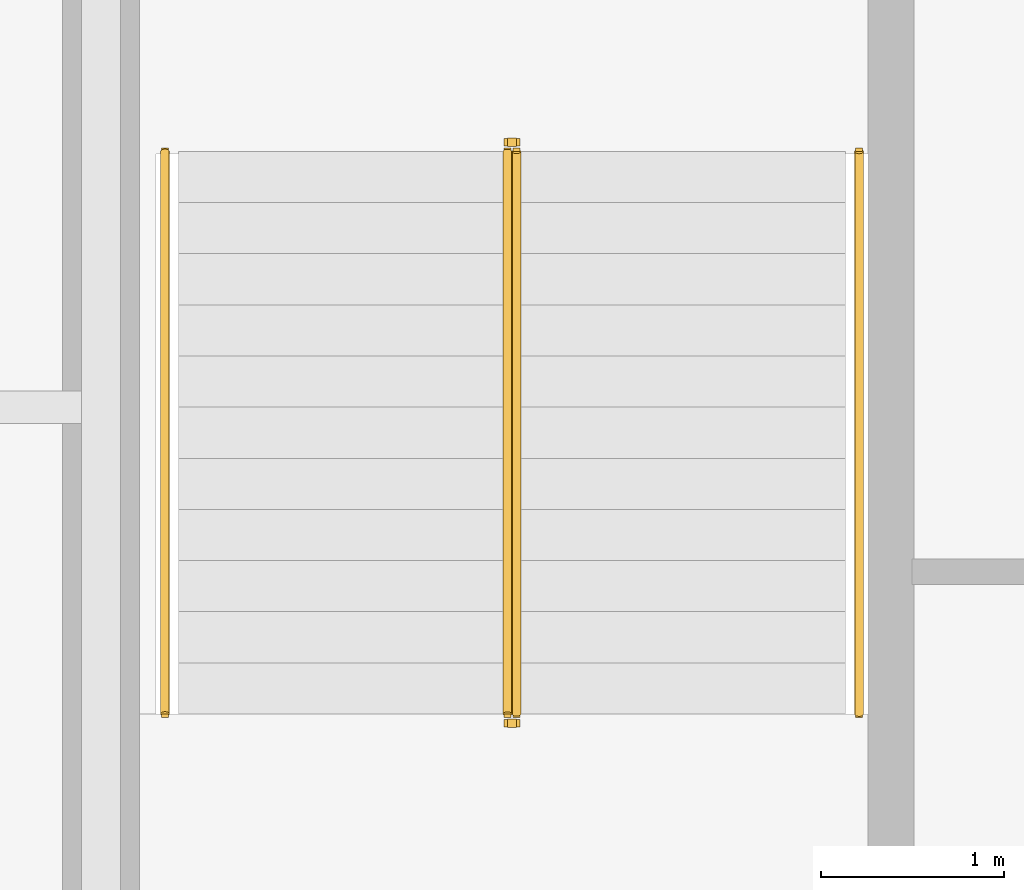
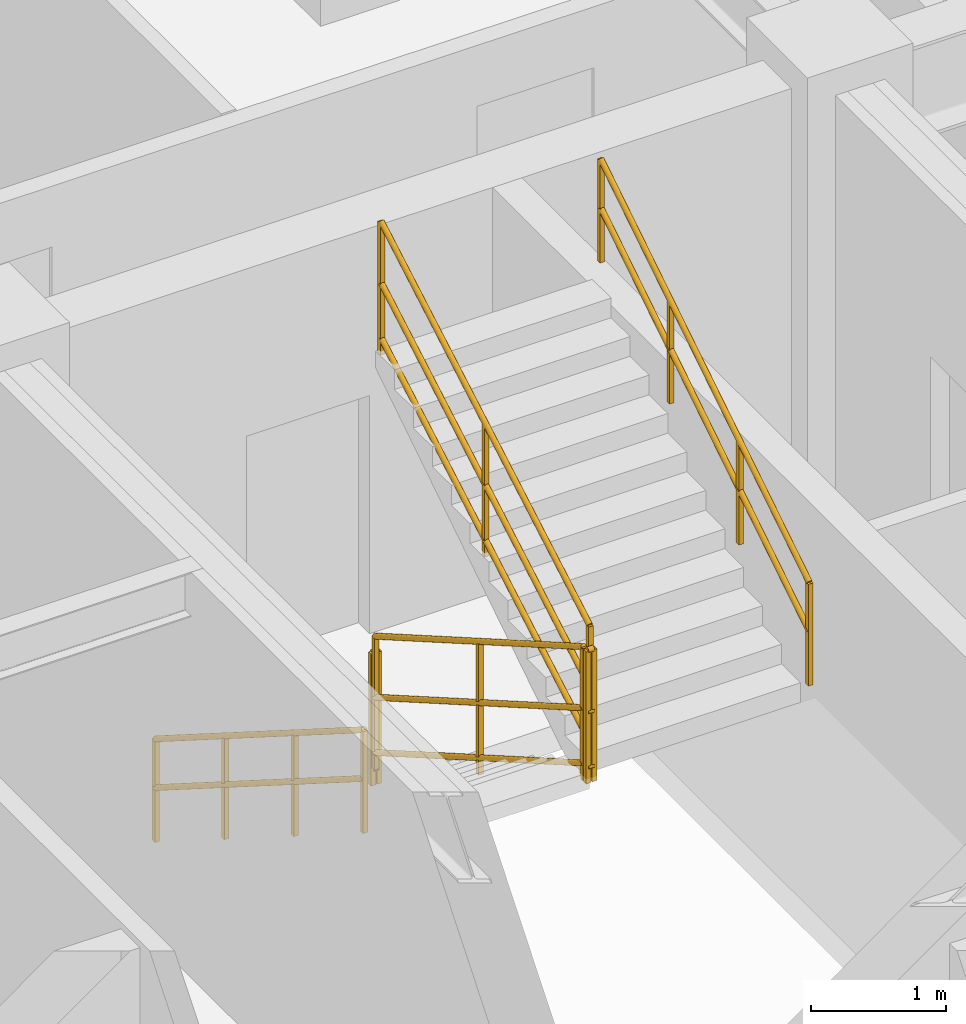
# One storey, part 10 of 11: 6 railings.
"""IFC4 building model written with IfcOpenShell, lengths in metres."""

from ifc_helpers import new_model, entity, si_unit, converted_unit, direction, frame, origin_with_axes, origin_2d_with_axis, place, context, subcontext, project, spatial, rectangle, circle, extrude, material, type_object, element, save


model = new_model("IFC4")

# Units and contexts
model_context = context("Model", 3, precision=1e-05, world=origin_with_axes(), true_north=direction((0.0, 1.0)))
body_context = subcontext(model_context, "Body", "Model", "MODEL_VIEW")
ifc_project = project(units=[si_unit("LENGTHUNIT", "METRE"), si_unit("AREAUNIT", "SQUARE_METRE"), si_unit("VOLUMEUNIT", "CUBIC_METRE"), converted_unit("PLANEANGLEUNIT", "DEGREE", entity("IfcPlaneAngleMeasure", 0.017453292519943295), si_unit("PLANEANGLEUNIT", "RADIAN"), dimensions=[0, 0, 0, 0, 0, 0, 0]), si_unit("MASSUNIT", "GRAM", prefix="KILO"), si_unit("THERMODYNAMICTEMPERATUREUNIT", "KELVIN")], contexts=[model_context])

# Site, building, storey
site_placement = place(None, origin_with_axes())
site = spatial("IfcSite", under=ifc_project, at=site_placement, CompositionType="ELEMENT")
building_placement = place(site_placement, origin_with_axes())
building = spatial("IfcBuilding", under=site, at=building_placement, Name="Varnlund Millrace Tower", CompositionType="ELEMENT")
storey_placement = place(building_placement, frame((0.0, 0.0, 224.7), z_axis=(0.0, 0.0, 1.0), x_axis=(1.0, 0.0, 0.0)))
storey = spatial("IfcBuildingStorey", under=building, at=storey_placement, Name="L55", CompositionType="ELEMENT", Elevation=224.7)

# Railings
ifc_material_1 = material(Name="Painted steel stair well balustrade guard", Category="steel")
railing_type_1 = type_object("IfcRailingType", Name="Type-StairGuard-1150", PredefinedType="GUARDRAIL", material=ifc_material_1)
railing_1_placement = place(storey_placement, frame((0.0, 0.0, -224.7), z_axis=(0.0, 0.0, 1.0), x_axis=(1.0, 0.0, 0.0)))
element("IfcRailing", 1, at=railing_1_placement, inside=storey, type_object=railing_type_1, Name="Type-StairGuard-1150", PredefinedType="GUARDRAIL", context=body_context, shape_type="SweptSolid", body=[
    extrude(circle(Radius=0.024, at=origin_2d_with_axis()), frame((13.625, 35.9, 226.027273), z_axis=(0.0, -0.866696, 0.498836), x_axis=(1.0, 0.0, 0.0)), (0.0, 0.0, 1.0), 3.553725),
    extrude(circle(Radius=0.024, at=origin_2d_with_axis()), frame((13.625, 35.9, 224.977273), z_axis=(0.0, -0.866696, 0.498836), x_axis=(1.0, 0.0, 0.0)), (0.0, 0.0, 1.0), 3.553725),
    extrude(circle(Radius=0.024, at=origin_2d_with_axis()), frame((13.625, 35.9, 225.475273), z_axis=(0.0, -0.866696, 0.498836), x_axis=(1.0, 0.0, 0.0)), (0.0, 0.0, 1.0), 3.553725),
    extrude(rectangle(XDim=0.04, YDim=0.04, at=origin_2d_with_axis()), frame((13.625, 35.9, 224.837273), z_axis=(0.0, 0.0, 1.0), x_axis=(1.0, 0.0, 0.0)), (0.0, 0.0, 1.0), 1.19),
    extrude(rectangle(XDim=0.04, YDim=0.04, at=origin_2d_with_axis()), frame((13.625, 34.36, 225.723637), z_axis=(0.0, 0.0, 1.0), x_axis=(1.0, 0.0, 0.0)), (0.0, 0.0, 1.0), 1.19),
    extrude(rectangle(XDim=0.04, YDim=0.04, at=origin_2d_with_axis()), frame((13.625, 32.82, 226.61), z_axis=(0.0, 0.0, 1.0), x_axis=(1.0, 0.0, 0.0)), (0.0, 0.0, 1.0), 1.19),
])
railing_2_placement = place(storey_placement, frame((0.0, 0.0, -224.7), z_axis=(0.0, 0.0, 1.0), x_axis=(1.0, 0.0, 0.0)))
element("IfcRailing", 2, at=railing_2_placement, inside=storey, type_object=railing_type_1, Name="Type-StairGuard-1150", PredefinedType="GUARDRAIL", context=body_context, shape_type="SweptSolid", body=[
    extrude(circle(Radius=0.024, at=origin_2d_with_axis()), frame((13.675, 32.77, 227.8), z_axis=(-1.0, 0.0, 0.0), x_axis=(0.0, -1.0, 0.0)), (0.0, 0.0, 1.0), 0.05),
    extrude(circle(Radius=0.024, at=origin_2d_with_axis()), frame((13.675, 32.77, 226.75), z_axis=(-1.0, 0.0, 0.0), x_axis=(0.0, -1.0, 0.0)), (0.0, 0.0, 1.0), 0.05),
    extrude(circle(Radius=0.024, at=origin_2d_with_axis()), frame((13.675, 32.77, 227.248), z_axis=(-1.0, 0.0, 0.0), x_axis=(0.0, -1.0, 0.0)), (0.0, 0.0, 1.0), 0.05),
    extrude(rectangle(XDim=0.04, YDim=0.04, at=origin_2d_with_axis()), frame((13.675, 32.77, 226.61), z_axis=(0.0, 0.0, 1.0), x_axis=(1.0, 0.0, 0.0)), (0.0, 0.0, 1.0), 1.19),
    extrude(rectangle(XDim=0.04, YDim=0.04, at=origin_2d_with_axis()), frame((13.625, 32.77, 226.61), z_axis=(0.0, 0.0, 1.0), x_axis=(1.0, 0.0, 0.0)), (0.0, 0.0, 1.0), 1.19),
])
railing_3_placement = place(storey_placement, frame((0.0, 0.0, -224.7), z_axis=(0.0, 0.0, 1.0), x_axis=(1.0, 0.0, 0.0)))
element("IfcRailing", 3, at=railing_3_placement, inside=storey, type_object=railing_type_1, Name="Type-StairGuard-1150", PredefinedType="GUARDRAIL", context=body_context, shape_type="SweptSolid", body=[
    extrude(circle(Radius=0.024, at=origin_2d_with_axis()), frame((13.675, 32.82, 227.977273), z_axis=(0.0, 0.866696, 0.498836), x_axis=(-1.0, 0.0, 0.0)), (0.0, 0.0, 1.0), 3.553725),
    extrude(circle(Radius=0.024, at=origin_2d_with_axis()), frame((13.675, 32.82, 226.927273), z_axis=(0.0, 0.866696, 0.498836), x_axis=(-1.0, 0.0, 0.0)), (0.0, 0.0, 1.0), 3.553725),
    extrude(circle(Radius=0.024, at=origin_2d_with_axis()), frame((13.675, 32.82, 227.425273), z_axis=(0.0, 0.866696, 0.498836), x_axis=(-1.0, 0.0, 0.0)), (0.0, 0.0, 1.0), 3.553725),
    extrude(rectangle(XDim=0.04, YDim=0.04, at=origin_2d_with_axis()), frame((13.675, 32.82, 226.787273), z_axis=(0.0, 0.0, 1.0), x_axis=(1.0, 0.0, 0.0)), (0.0, 0.0, 1.0), 1.19),
    extrude(rectangle(XDim=0.04, YDim=0.04, at=origin_2d_with_axis()), frame((13.675, 34.36, 227.673637), z_axis=(0.0, 0.0, 1.0), x_axis=(1.0, 0.0, 0.0)), (0.0, 0.0, 1.0), 1.19),
    extrude(rectangle(XDim=0.04, YDim=0.04, at=origin_2d_with_axis()), frame((13.675, 35.9, 228.56), z_axis=(0.0, 0.0, 1.0), x_axis=(1.0, 0.0, 0.0)), (0.0, 0.0, 1.0), 1.19),
])
railing_4_placement = place(storey_placement, frame((0.0, 0.0, -224.7), z_axis=(0.0, 0.0, 1.0), x_axis=(1.0, 0.0, 0.0)))
element("IfcRailing", 4, at=railing_4_placement, inside=storey, type_object=railing_type_1, Name="Type-StairGuard-1150", PredefinedType="GUARDRAIL", context=body_context, shape_type="SweptSolid", body=[
    extrude(circle(Radius=0.024, at=origin_2d_with_axis()), frame((13.675, 35.95, 225.85), z_axis=(-1.0, 0.0, 0.0), x_axis=(0.0, -1.0, 0.0)), (0.0, 0.0, 1.0), 0.05),
    extrude(circle(Radius=0.024, at=origin_2d_with_axis()), frame((13.675, 35.95, 224.8), z_axis=(-1.0, 0.0, 0.0), x_axis=(0.0, -1.0, 0.0)), (0.0, 0.0, 1.0), 0.05),
    extrude(circle(Radius=0.024, at=origin_2d_with_axis()), frame((13.675, 35.95, 225.298), z_axis=(-1.0, 0.0, 0.0), x_axis=(0.0, -1.0, 0.0)), (0.0, 0.0, 1.0), 0.05),
    extrude(rectangle(XDim=0.04, YDim=0.04, at=origin_2d_with_axis()), frame((13.675, 35.95, 224.66), z_axis=(0.0, 0.0, 1.0), x_axis=(1.0, 0.0, 0.0)), (0.0, 0.0, 1.0), 1.19),
    extrude(rectangle(XDim=0.04, YDim=0.04, at=origin_2d_with_axis()), frame((13.625, 35.95, 224.66), z_axis=(0.0, 0.0, 1.0), x_axis=(1.0, 0.0, 0.0)), (0.0, 0.0, 1.0), 1.19),
])
ifc_material_2 = material(Name="Brushed architectural bronze stair handrail", Category="aluminium")
railing_type_2 = type_object("IfcRailingType", Name="Type-StairHandrail-900", PredefinedType="HANDRAIL", material=ifc_material_2)
railing_5_placement = place(storey_placement, frame((0.0, 0.0, -224.7), z_axis=(0.0, 0.0, 1.0), x_axis=(1.0, 0.0, 0.0)))
element("IfcRailing", 5, at=railing_5_placement, inside=storey, type_object=railing_type_2, Name="Type-StairHandrail-900", PredefinedType="HANDRAIL", context=body_context, shape_type="SweptSolid", body=[
    extrude(circle(Radius=0.024, at=origin_2d_with_axis()), frame((11.75, 35.9, 225.756995), z_axis=(0.0, -0.844902, 0.534922), x_axis=(1.0, 0.0, 0.0)), (0.0, 0.0, 1.0), 3.645394),
    extrude(circle(Radius=0.024, at=origin_2d_with_axis()), frame((11.75, 35.9, 225.317134), z_axis=(0.0, -0.844902, 0.534922), x_axis=(1.0, 0.0, 0.0)), (0.0, 0.0, 1.0), 3.645394),
    extrude(rectangle(XDim=0.04, YDim=0.04, at=origin_2d_with_axis()), frame((11.75, 35.9, 224.837273), z_axis=(0.0, 0.0, 1.0), x_axis=(1.0, 0.0, 0.0)), (0.0, 0.0, 1.0), 0.919722),
    extrude(rectangle(XDim=0.04, YDim=0.04, at=origin_2d_with_axis()), frame((11.75, 34.873333, 225.487273), z_axis=(0.0, 0.0, 1.0), x_axis=(1.0, 0.0, 0.0)), (0.0, 0.0, 1.0), 0.919722),
    extrude(rectangle(XDim=0.04, YDim=0.04, at=origin_2d_with_axis()), frame((11.75, 33.846667, 226.137273), z_axis=(0.0, 0.0, 1.0), x_axis=(1.0, 0.0, 0.0)), (0.0, 0.0, 1.0), 0.919722),
    extrude(rectangle(XDim=0.04, YDim=0.04, at=origin_2d_with_axis()), frame((11.75, 32.82, 226.787273), z_axis=(0.0, 0.0, 1.0), x_axis=(1.0, 0.0, 0.0)), (0.0, 0.0, 1.0), 0.919722),
])
railing_6_placement = place(storey_placement, frame((0.0, 0.0, -224.7), z_axis=(0.0, 0.0, 1.0), x_axis=(1.0, 0.0, 0.0)))
element("IfcRailing", 6, at=railing_6_placement, inside=storey, type_object=railing_type_2, Name="Type-StairHandrail-900", PredefinedType="HANDRAIL", context=body_context, shape_type="SweptSolid", body=[
    extrude(circle(Radius=0.024, at=origin_2d_with_axis()), frame((15.55, 32.82, 227.706995), z_axis=(0.0, 0.844902, 0.534922), x_axis=(-1.0, 0.0, 0.0)), (0.0, 0.0, 1.0), 3.645394),
    extrude(circle(Radius=0.024, at=origin_2d_with_axis()), frame((15.55, 32.82, 227.267134), z_axis=(0.0, 0.844902, 0.534922), x_axis=(-1.0, 0.0, 0.0)), (0.0, 0.0, 1.0), 3.645394),
    extrude(rectangle(XDim=0.04, YDim=0.04, at=origin_2d_with_axis()), frame((15.55, 32.82, 226.787273), z_axis=(0.0, 0.0, 1.0), x_axis=(1.0, 0.0, 0.0)), (0.0, 0.0, 1.0), 0.919722),
    extrude(rectangle(XDim=0.04, YDim=0.04, at=origin_2d_with_axis()), frame((15.55, 33.846667, 227.437273), z_axis=(0.0, 0.0, 1.0), x_axis=(1.0, 0.0, 0.0)), (0.0, 0.0, 1.0), 0.919722),
    extrude(rectangle(XDim=0.04, YDim=0.04, at=origin_2d_with_axis()), frame((15.55, 34.873333, 228.087273), z_axis=(0.0, 0.0, 1.0), x_axis=(1.0, 0.0, 0.0)), (0.0, 0.0, 1.0), 0.919722),
    extrude(rectangle(XDim=0.04, YDim=0.04, at=origin_2d_with_axis()), frame((15.55, 35.9, 228.737273), z_axis=(0.0, 0.0, 1.0), x_axis=(1.0, 0.0, 0.0)), (0.0, 0.0, 1.0), 0.919722),
])

save(model, "model.ifc")
